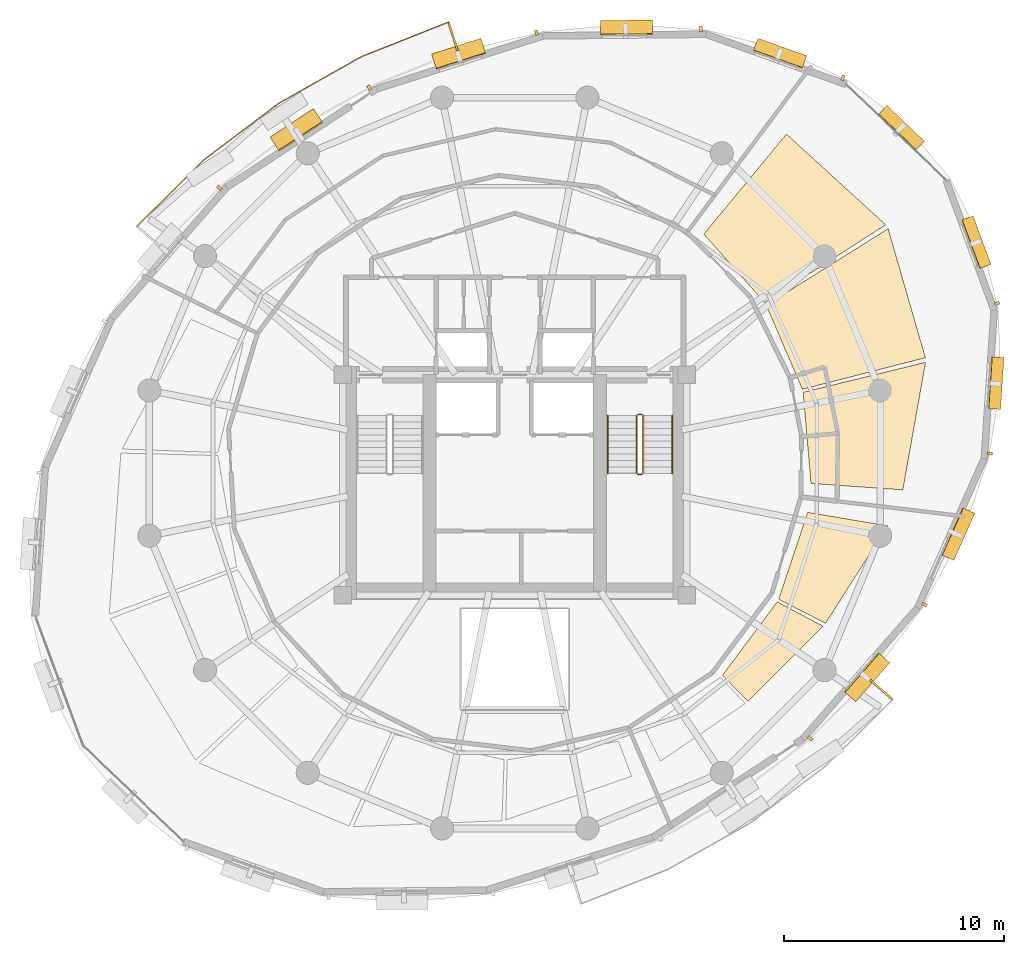
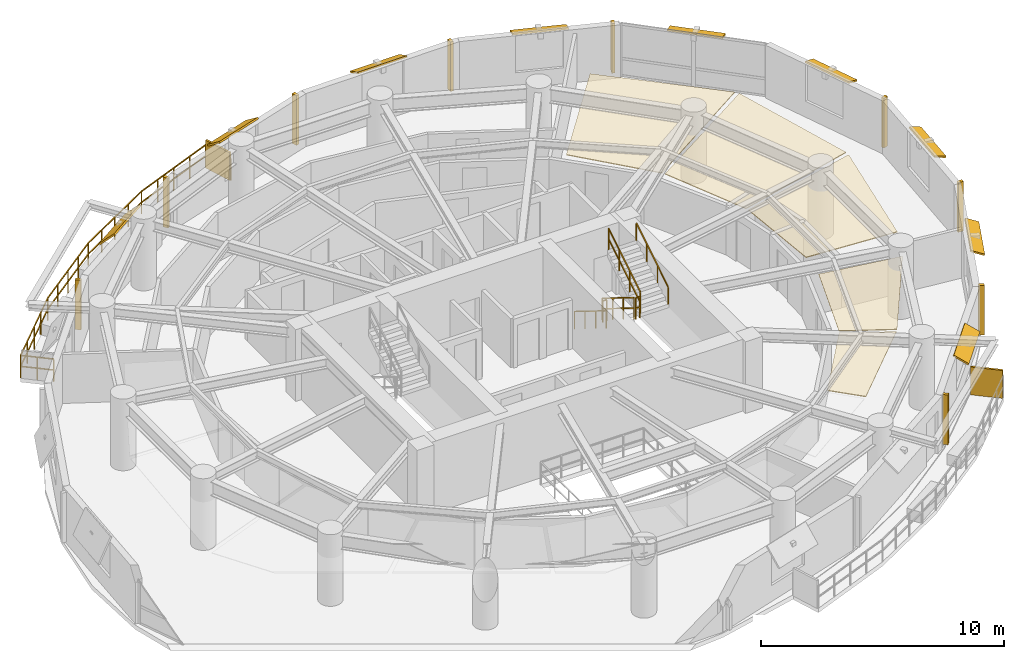
# One storey, part 12 of 12: 20 shading devices, 7 railings, 5 coverings.
"""IFC4 building model written with IfcOpenShell, lengths in metres."""

from ifc_helpers import new_model, si_unit, direction, frame, origin, origin_2d, place, context, subcontext, project, spatial, polyline, rectangle, outline, extrude, material, layer, layer_set, type_object, element, save


model = new_model("IFC4")

# Units and contexts
model_context = context("Model", 3, precision=1e-05, world=origin(), true_north=direction((0.0, 1.0)))
body_context = subcontext(model_context, "Body", "Model", "MODEL_VIEW")
ifc_project = project(units=[si_unit("LENGTHUNIT", "METRE"), si_unit("AREAUNIT", "SQUARE_METRE"), si_unit("VOLUMEUNIT", "CUBIC_METRE"), si_unit("PLANEANGLEUNIT", "RADIAN"), si_unit("MASSUNIT", "GRAM", prefix="KILO"), si_unit("THERMODYNAMICTEMPERATUREUNIT", "KELVIN"), si_unit("POWERUNIT", "WATT")], contexts=[model_context])

# Site, building, storey
site_placement = place(None, origin())
site = spatial("IfcSite", under=ifc_project, at=site_placement, CompositionType="ELEMENT")
building_placement = place(site_placement, origin())
building = spatial("IfcBuilding", under=site, at=building_placement, Name="Ocrelia Relay Tower", CompositionType="ELEMENT")
storey_placement = place(building_placement, frame((0.0, 0.0, 173.60009765625)))
storey = spatial("IfcBuildingStorey", under=building, at=storey_placement, Name="L41", CompositionType="ELEMENT", Elevation=173.60009765625)

# Coverings
ifc_material_1 = material(Name="Mineral-fiber acoustic ceiling tile", Category="gypsum")
ifc_layer_1 = layer(ifc_material_1, 0.0400390625, Name="Mineral-fiber acoustic ceiling tile")
ifc_layer_set_1 = layer_set([ifc_layer_1], Name="Mineral-fiber acoustic ceiling tile")
covering_type = type_object("IfcCoveringType", Name="COV-CEIL-ACOUSTIC", PredefinedType="CEILING", material=ifc_layer_set_1)
covering_1_placement = place(storey_placement, frame((0.0, 0.0, 2.3798828125)))
element("IfcCovering", 1, at=covering_1_placement, inside=storey, type_object=covering_type, Name="L41 Project Meeting Room Suspended Ceiling 1", PredefinedType="CEILING", context=body_context, shape_type="SweptSolid", body=[
    extrude(outline(polyline([(47.43798828125, 25.072021484375), (51.606201171875, 24.7841796875), (52.635986328125, 30.57177734375), (47.08203125, 29.209228515625), (47.43798828125, 25.072021484375)])), origin(), (0.0, 0.0, 1.0), 0.0400390625),
])
covering_2_placement = place(storey_placement, frame((0.0, 0.0, 2.3798828125)))
element("IfcCovering", 2, at=covering_2_placement, inside=storey, type_object=covering_type, Name="L41 Project Meeting Room Suspended Ceiling 2", PredefinedType="CEILING", context=body_context, shape_type="SweptSolid", body=[
    extrude(outline(polyline([(47.0478515625, 29.34619140625), (52.63037109375, 30.777587890625), (50.936767578125, 36.63134765625), (45.40869140625, 33.161376953125), (47.0478515625, 29.34619140625)])), origin(), (0.0, 0.0, 1.0), 0.0400390625),
])
covering_3_placement = place(storey_placement, frame((0.0, 0.0, 2.3798828125)))
element("IfcCovering", 3, at=covering_3_placement, inside=storey, type_object=covering_type, Name="L41 Project Meeting Room Suspended Ceiling 3", PredefinedType="CEILING", context=body_context, shape_type="SweptSolid", body=[
    extrude(outline(polyline([(45.3330078125, 33.2802734375), (50.826416015625, 36.809326171875), (46.322998046875, 40.92236328125), (42.576904296875, 36.38623046875), (45.3330078125, 33.2802734375)])), origin(), (0.0, 0.0, 1.0), 0.0400390625),
])
covering_4_placement = place(storey_placement, frame((0.0, 0.0, 2.3798828125)))
element("IfcCovering", 4, at=covering_4_placement, inside=storey, type_object=covering_type, Name="L41 Shift Staff Lounge Suspended Ceiling 2", PredefinedType="CEILING", context=body_context, shape_type="SweptSolid", body=[
    extrude(outline(polyline([(43.421630859375, 16.373291015625), (44.57861328125, 15.19140625), (47.990966796875, 18.597412109375), (45.90625, 19.700439453125), (43.421630859375, 16.373291015625)])), origin(), (0.0, 0.0, 1.0), 0.0400390625),
])
covering_5_placement = place(storey_placement, frame((0.0, 0.0, 2.3798828125)))
element("IfcCovering", 5, at=covering_5_placement, inside=storey, type_object=covering_type, Name="L41 Shift Staff Lounge Suspended Ceiling 3", PredefinedType="CEILING", context=body_context, shape_type="SweptSolid", body=[
    extrude(outline(polyline([(45.971435546875, 19.825439453125), (48.098388671875, 18.728515625), (50.918212890625, 23.15380859375), (47.283203125, 23.76513671875), (45.971435546875, 19.825439453125)])), origin(), (0.0, 0.0, 1.0), 0.0400390625),
])

# Railings
ifc_material_2 = material(Name="Steel S355 balustrade", Category="steel")
railing_type_1 = type_object("IfcRailingType", Name="RL-EXT-GUARD-1150", PredefinedType="GUARDRAIL", material=ifc_material_2)
railing_1_placement = place(storey_placement, frame((17.901611328125, 35.818115234375, 0.0)))
element("IfcRailing", 6, at=railing_1_placement, inside=storey, type_object=railing_type_1, Name="L41 Loggia Balcony Guard Rail B1", PredefinedType="GUARDRAIL", context=body_context, shape_type="SweptSolid", body=[
    extrude(rectangle(XDim=0.048095703125, YDim=0.048095703125, at=origin_2d()), frame((0.0, 0.0, 1.1259765625), z_axis=(-0.753563517181, 0.657375102642, 0.0), x_axis=(-0.657375102642, -0.753563517181, 0.0)), (0.0, 0.0, 1.0), 1.3935546875),
    extrude(rectangle(XDim=0.048095703125, YDim=0.048095703125, at=origin_2d()), frame((0.0, 0.0, 0.574951171875), z_axis=(-0.753563517181, 0.657375102642, 0.0), x_axis=(-0.657375102642, -0.753563517181, 0.0)), (0.0, 0.0, 1.0), 1.3935546875),
    extrude(rectangle(XDim=0.048095703125, YDim=0.048095703125, at=origin_2d()), frame((-1.050048828125, 0.916015625, 1.1259765625), z_axis=(0.708769408296, 0.705440235501, 0.0), x_axis=(-0.705440235501, 0.708769408296, 0.0)), (0.0, 0.0, 1.0), 2.126708984375),
    extrude(rectangle(XDim=0.048095703125, YDim=0.048095703125, at=origin_2d()), frame((-1.050048828125, 0.916015625, 0.574951171875), z_axis=(0.708769408296, 0.705440235501, 0.0), x_axis=(-0.705440235501, 0.708769408296, 0.0)), (0.0, 0.0, 1.0), 2.126708984375),
    extrude(rectangle(XDim=0.048095703125, YDim=0.048095703125, at=origin_2d()), frame((0.457275390625, 2.416259765625, 1.1259765625), z_axis=(0.708769408296, 0.705440235501, 0.0), x_axis=(-0.705440235501, 0.708769408296, 0.0)), (0.0, 0.0, 1.0), 2.126708984375),
    extrude(rectangle(XDim=0.048095703125, YDim=0.048095703125, at=origin_2d()), frame((0.457275390625, 2.416259765625, 0.574951171875), z_axis=(0.708769408296, 0.705440235501, 0.0), x_axis=(-0.705440235501, 0.708769408296, 0.0)), (0.0, 0.0, 1.0), 2.126708984375),
    extrude(rectangle(XDim=0.048095703125, YDim=0.048095703125, at=origin_2d()), frame((1.964599609375, 3.91650390625, 1.1259765625), z_axis=(0.797738620679, 0.603003393918, 0.0), x_axis=(-0.603003393918, 0.797738620679, 0.0)), (0.0, 0.0, 1.0), 4.299072265625),
    extrude(rectangle(XDim=0.048095703125, YDim=0.048095703125, at=origin_2d()), frame((1.964599609375, 3.91650390625, 0.574951171875), z_axis=(0.797738620679, 0.603003393918, 0.0), x_axis=(-0.603003393918, 0.797738620679, 0.0)), (0.0, 0.0, 1.0), 4.299072265625),
    extrude(rectangle(XDim=0.048095703125, YDim=0.048095703125, at=origin_2d()), frame((5.39404296875, 6.5087890625, 1.1259765625), z_axis=(0.871094345099, 0.491115711351, 0.0), x_axis=(-0.491115711351, 0.871094345099, 0.0)), (0.0, 0.0, 1.0), 4.299072265625),
    extrude(rectangle(XDim=0.048095703125, YDim=0.048095703125, at=origin_2d()), frame((5.39404296875, 6.5087890625, 0.574951171875), z_axis=(0.871094345099, 0.491115711351, 0.0), x_axis=(-0.491115711351, 0.871094345099, 0.0)), (0.0, 0.0, 1.0), 4.299072265625),
    extrude(rectangle(XDim=0.048095703125, YDim=0.048095703125, at=origin_2d()), frame((9.138916015625, 8.6201171875, 1.1259765625), z_axis=(0.929533810965, 0.368736890307, 0.0), x_axis=(-0.368736890307, 0.929533810965, 0.0)), (0.0, 0.0, 1.0), 2.126708984375),
    extrude(rectangle(XDim=0.048095703125, YDim=0.048095703125, at=origin_2d()), frame((9.138916015625, 8.6201171875, 0.574951171875), z_axis=(0.929533810965, 0.368736890307, 0.0), x_axis=(-0.368736890307, 0.929533810965, 0.0)), (0.0, 0.0, 1.0), 2.126708984375),
    extrude(rectangle(XDim=0.048095703125, YDim=0.048095703125, at=origin_2d()), frame((11.11572265625, 9.404296875, 1.1259765625), z_axis=(0.929533810965, 0.368736890307, 0.0), x_axis=(-0.368736890307, 0.929533810965, 0.0)), (0.0, 0.0, 1.0), 2.126708984375),
    extrude(rectangle(XDim=0.048095703125, YDim=0.048095703125, at=origin_2d()), frame((11.11572265625, 9.404296875, 0.574951171875), z_axis=(0.929533810965, 0.368736890307, 0.0), x_axis=(-0.368736890307, 0.929533810965, 0.0)), (0.0, 0.0, 1.0), 2.126708984375),
    extrude(rectangle(XDim=0.048095703125, YDim=0.048095703125, at=origin_2d()), frame((13.092529296875, 10.1884765625, 1.1259765625), z_axis=(0.302371980922, -0.953190004749, 0.0), x_axis=(0.953190004749, 0.302371980922, 0.0)), (0.0, 0.0, 1.0), 1.3935546875),
    extrude(rectangle(XDim=0.048095703125, YDim=0.048095703125, at=origin_2d()), frame((13.092529296875, 10.1884765625, 0.574951171875), z_axis=(0.302371980922, -0.953190004749, 0.0), x_axis=(0.953190004749, 0.302371980922, 0.0)), (0.0, 0.0, 1.0), 1.3935546875),
    extrude(rectangle(XDim=0.0419921875, YDim=0.0419921875, at=origin_2d()), origin(), (0.0, 0.0, 1.0), 1.101806640625),
    extrude(rectangle(XDim=0.0419921875, YDim=0.0419921875, at=origin_2d()), frame((-0.52490234375, 0.4580078125, 0.0)), (0.0, 0.0, 1.0), 1.101806640625),
    extrude(rectangle(XDim=0.0419921875, YDim=0.0419921875, at=origin_2d()), frame((-1.050048828125, 0.916015625, 0.0)), (0.0, 0.0, 1.0), 1.101806640625),
    extrude(rectangle(XDim=0.0419921875, YDim=0.0419921875, at=origin_2d()), frame((-0.29638671875, 1.666015625, 0.0)), (0.0, 0.0, 1.0), 1.101806640625),
    extrude(rectangle(XDim=0.0419921875, YDim=0.0419921875, at=origin_2d()), frame((0.457275390625, 2.416259765625, 0.0)), (0.0, 0.0, 1.0), 1.101806640625),
    extrude(rectangle(XDim=0.0419921875, YDim=0.0419921875, at=origin_2d()), frame((1.2109375, 3.16650390625, 0.0)), (0.0, 0.0, 1.0), 1.101806640625),
    extrude(rectangle(XDim=0.0419921875, YDim=0.0419921875, at=origin_2d()), frame((1.964599609375, 3.91650390625, 0.0)), (0.0, 0.0, 1.0), 1.101806640625),
    extrude(rectangle(XDim=0.0419921875, YDim=0.0419921875, at=origin_2d()), frame((2.822021484375, 4.564453125, 0.0)), (0.0, 0.0, 1.0), 1.101806640625),
    extrude(rectangle(XDim=0.0419921875, YDim=0.0419921875, at=origin_2d()), frame((3.67919921875, 5.212646484375, 0.0)), (0.0, 0.0, 1.0), 1.101806640625),
    extrude(rectangle(XDim=0.0419921875, YDim=0.0419921875, at=origin_2d()), frame((4.53662109375, 5.86083984375, 0.0)), (0.0, 0.0, 1.0), 1.101806640625),
    extrude(rectangle(XDim=0.0419921875, YDim=0.0419921875, at=origin_2d()), frame((5.39404296875, 6.5087890625, 0.0)), (0.0, 0.0, 1.0), 1.101806640625),
    extrude(rectangle(XDim=0.0419921875, YDim=0.0419921875, at=origin_2d()), frame((6.330322265625, 7.03662109375, 0.0)), (0.0, 0.0, 1.0), 1.101806640625),
    extrude(rectangle(XDim=0.0419921875, YDim=0.0419921875, at=origin_2d()), frame((7.2666015625, 7.564453125, 0.0)), (0.0, 0.0, 1.0), 1.101806640625),
    extrude(rectangle(XDim=0.0419921875, YDim=0.0419921875, at=origin_2d()), frame((8.20263671875, 8.09228515625, 0.0)), (0.0, 0.0, 1.0), 1.101806640625),
    extrude(rectangle(XDim=0.0419921875, YDim=0.0419921875, at=origin_2d()), frame((9.138916015625, 8.6201171875, 0.0)), (0.0, 0.0, 1.0), 1.101806640625),
    extrude(rectangle(XDim=0.0419921875, YDim=0.0419921875, at=origin_2d()), frame((10.12744140625, 9.01220703125, 0.0)), (0.0, 0.0, 1.0), 1.101806640625),
    extrude(rectangle(XDim=0.0419921875, YDim=0.0419921875, at=origin_2d()), frame((11.11572265625, 9.404296875, 0.0)), (0.0, 0.0, 1.0), 1.101806640625),
    extrude(rectangle(XDim=0.0419921875, YDim=0.0419921875, at=origin_2d()), frame((12.10400390625, 9.79638671875, 0.0)), (0.0, 0.0, 1.0), 1.101806640625),
    extrude(rectangle(XDim=0.0419921875, YDim=0.0419921875, at=origin_2d()), frame((13.092529296875, 10.1884765625, 0.0)), (0.0, 0.0, 1.0), 1.101806640625),
    extrude(rectangle(XDim=0.0419921875, YDim=0.0419921875, at=origin_2d()), frame((13.30322265625, 9.5244140625, 0.0)), (0.0, 0.0, 1.0), 1.101806640625),
    extrude(rectangle(XDim=0.0419921875, YDim=0.0419921875, at=origin_2d()), frame((13.513916015625, 8.860107421875, 0.0)), (0.0, 0.0, 1.0), 1.101806640625),
])
railing_type_2 = type_object("IfcRailingType", Name="RL-STAIR-GUARD", PredefinedType="GUARDRAIL", material=ifc_material_2)
railing_2_placement = place(storey_placement, frame((39.530029296875, 28.14990234375, 0.179931640625)))
element("IfcRailing", 7, at=railing_2_placement, inside=storey, type_object=railing_type_2, Name="L41 ST2 stair guard 1", PredefinedType="GUARDRAIL", context=body_context, shape_type="SweptSolid", body=[
    extrude(rectangle(XDim=0.048095703125, YDim=0.048095703125, at=origin_2d()), frame((0.0, 0.0, 1.076171875), z_axis=(0.0, -0.849646306263, 0.527352969322), x_axis=(1.0, 0.0, 0.0)), (0.0, 0.0, 1.0), 3.07177734375),
    extrude(rectangle(XDim=0.048095703125, YDim=0.048095703125, at=origin_2d()), frame((0.0, 0.0, 0.550048828125), z_axis=(0.0, -0.849646306263, 0.527352969322), x_axis=(1.0, 0.0, 0.0)), (0.0, 0.0, 1.0), 3.07177734375),
    extrude(rectangle(XDim=0.0419921875, YDim=0.0419921875, at=origin_2d()), origin(), (0.0, 0.0, 1.0), 1.052001953125),
    extrude(rectangle(XDim=0.0419921875, YDim=0.0419921875, at=origin_2d()), frame((0.0, -0.869873046875, 0.5400390625)), (0.0, 0.0, 1.0), 1.052001953125),
    extrude(rectangle(XDim=0.0419921875, YDim=0.0419921875, at=origin_2d()), frame((0.0, -1.739990234375, 1.079833984375)), (0.0, 0.0, 1.0), 1.052001953125),
    extrude(rectangle(XDim=0.0419921875, YDim=0.0419921875, at=origin_2d()), frame((0.0, -2.60986328125, 1.619873046875)), (0.0, 0.0, 1.0), 1.052001953125),
])
railing_3_placement = place(storey_placement, frame((39.580078125, 25.489990234375, 1.7998046875)))
element("IfcRailing", 8, at=railing_3_placement, inside=storey, type_object=railing_type_2, Name="L41 ST2 stair guard 2", PredefinedType="GUARDRAIL", context=body_context, shape_type="SweptSolid", body=[
    extrude(rectangle(XDim=0.048095703125, YDim=0.048095703125, at=origin_2d()), frame((0.0, 0.0, 1.076171875), z_axis=(1.0, 0.0, 0.0), x_axis=(0.0, 1.0, 0.0)), (0.0, 0.0, 1.0), 0.199951171875),
    extrude(rectangle(XDim=0.048095703125, YDim=0.048095703125, at=origin_2d()), frame((0.0, 0.0, 0.550048828125), z_axis=(1.0, 0.0, 0.0), x_axis=(0.0, 1.0, 0.0)), (0.0, 0.0, 1.0), 0.199951171875),
    extrude(rectangle(XDim=0.0419921875, YDim=0.0419921875, at=origin_2d()), origin(), (0.0, 0.0, 1.0), 1.052001953125),
    extrude(rectangle(XDim=0.0419921875, YDim=0.0419921875, at=origin_2d()), frame((0.199951171875, 0.0, 0.0)), (0.0, 0.0, 1.0), 1.052001953125),
])
railing_4_placement = place(storey_placement, frame((39.830078125, 25.5400390625, 1.97998046875)))
element("IfcRailing", 9, at=railing_4_placement, inside=storey, type_object=railing_type_2, Name="L41 ST2 stair guard 3", PredefinedType="GUARDRAIL", context=body_context, shape_type="SweptSolid", body=[
    extrude(rectangle(XDim=0.048095703125, YDim=0.048095703125, at=origin_2d()), frame((0.0, 0.0, 1.076171875), z_axis=(0.0, 0.849646306263, 0.527352969322), x_axis=(-1.0, 0.0, 0.0)), (0.0, 0.0, 1.0), 3.07177734375),
    extrude(rectangle(XDim=0.048095703125, YDim=0.048095703125, at=origin_2d()), frame((0.0, 0.0, 0.550048828125), z_axis=(0.0, 0.849646306263, 0.527352969322), x_axis=(-1.0, 0.0, 0.0)), (0.0, 0.0, 1.0), 3.07177734375),
    extrude(rectangle(XDim=0.0419921875, YDim=0.0419921875, at=origin_2d()), origin(), (0.0, 0.0, 1.0), 1.052001953125),
    extrude(rectangle(XDim=0.0419921875, YDim=0.0419921875, at=origin_2d()), frame((0.0, 0.869873046875, 0.5400390625)), (0.0, 0.0, 1.0), 1.052001953125),
    extrude(rectangle(XDim=0.0419921875, YDim=0.0419921875, at=origin_2d()), frame((0.0, 1.739990234375, 1.079833984375)), (0.0, 0.0, 1.0), 1.052001953125),
    extrude(rectangle(XDim=0.0419921875, YDim=0.0419921875, at=origin_2d()), frame((0.0, 2.60986328125, 1.619873046875)), (0.0, 0.0, 1.0), 1.052001953125),
])
railing_5_placement = place(storey_placement, frame((39.580078125, 28.199951171875, 0.0)))
element("IfcRailing", 10, at=railing_5_placement, inside=storey, type_object=railing_type_2, Name="L41 ST2 stair guard 4", PredefinedType="GUARDRAIL", context=body_context, shape_type="SweptSolid", body=[
    extrude(rectangle(XDim=0.048095703125, YDim=0.048095703125, at=origin_2d()), frame((0.0, 0.0, 1.076171875), z_axis=(1.0, 0.0, 0.0), x_axis=(0.0, 1.0, 0.0)), (0.0, 0.0, 1.0), 0.199951171875),
    extrude(rectangle(XDim=0.048095703125, YDim=0.048095703125, at=origin_2d()), frame((0.0, 0.0, 0.550048828125), z_axis=(1.0, 0.0, 0.0), x_axis=(0.0, 1.0, 0.0)), (0.0, 0.0, 1.0), 0.199951171875),
    extrude(rectangle(XDim=0.0419921875, YDim=0.0419921875, at=origin_2d()), origin(), (0.0, 0.0, 1.0), 1.052001953125),
    extrude(rectangle(XDim=0.0419921875, YDim=0.0419921875, at=origin_2d()), frame((0.199951171875, 0.0, 0.0)), (0.0, 0.0, 1.0), 1.052001953125),
])
ifc_material_3 = material(Name="Steel S355 tubular handrail", Category="steel")
railing_type_3 = type_object("IfcRailingType", Name="RL-STAIR-HAND", PredefinedType="HANDRAIL", material=ifc_material_3)
railing_6_placement = place(storey_placement, frame((38.2099609375, 28.14990234375, 0.179931640625)))
element("IfcRailing", 11, at=railing_6_placement, inside=storey, type_object=railing_type_3, Name="L41 ST2 stair handrail 1", PredefinedType="HANDRAIL", context=body_context, shape_type="SweptSolid", body=[
    extrude(rectangle(XDim=0.048095703125, YDim=0.048095703125, at=origin_2d()), frame((0.0, 0.0, 0.8759765625), z_axis=(0.0, -0.849646306263, 0.527352969322), x_axis=(1.0, 0.0, 0.0)), (0.0, 0.0, 1.0), 3.07177734375),
    extrude(rectangle(XDim=0.0419921875, YDim=0.0419921875, at=origin_2d()), origin(), (0.0, 0.0, 1.0), 0.851806640625),
    extrude(rectangle(XDim=0.0419921875, YDim=0.0419921875, at=origin_2d()), frame((0.0, -0.869873046875, 0.5400390625)), (0.0, 0.0, 1.0), 0.851806640625),
    extrude(rectangle(XDim=0.0419921875, YDim=0.0419921875, at=origin_2d()), frame((0.0, -1.739990234375, 1.079833984375)), (0.0, 0.0, 1.0), 0.851806640625),
    extrude(rectangle(XDim=0.0419921875, YDim=0.0419921875, at=origin_2d()), frame((0.0, -2.60986328125, 1.619873046875)), (0.0, 0.0, 1.0), 0.851806640625),
])
railing_7_placement = place(storey_placement, frame((41.14990234375, 25.5400390625, 1.97998046875)))
element("IfcRailing", 12, at=railing_7_placement, inside=storey, type_object=railing_type_3, Name="L41 ST2 stair handrail 2", PredefinedType="HANDRAIL", context=body_context, shape_type="SweptSolid", body=[
    extrude(rectangle(XDim=0.048095703125, YDim=0.048095703125, at=origin_2d()), frame((0.0, 0.0, 0.8759765625), z_axis=(0.0, 0.849646306263, 0.527352969322), x_axis=(-1.0, 0.0, 0.0)), (0.0, 0.0, 1.0), 3.07177734375),
    extrude(rectangle(XDim=0.0419921875, YDim=0.0419921875, at=origin_2d()), origin(), (0.0, 0.0, 1.0), 0.851806640625),
    extrude(rectangle(XDim=0.0419921875, YDim=0.0419921875, at=origin_2d()), frame((0.0, 0.869873046875, 0.5400390625)), (0.0, 0.0, 1.0), 0.851806640625),
    extrude(rectangle(XDim=0.0419921875, YDim=0.0419921875, at=origin_2d()), frame((0.0, 1.739990234375, 1.079833984375)), (0.0, 0.0, 1.0), 0.851806640625),
    extrude(rectangle(XDim=0.0419921875, YDim=0.0419921875, at=origin_2d()), frame((0.0, 2.60986328125, 1.619873046875)), (0.0, 0.0, 1.0), 0.851806640625),
])

# Shading devices
ifc_material_4 = material(Name="Perforated oxide terracotta solar screen", Category="masonry")
ifc_layer_2 = layer(ifc_material_4, 0.090087890625, Name="Perforated oxide terracotta solar screen")
ifc_layer_set_2 = layer_set([ifc_layer_2], Name="Perforated oxide terracotta solar screen")
shading_device_type_1 = type_object("IfcShadingDeviceType", Name="SH-BALC-SCREEN", PredefinedType="USERDEFINED", material=ifc_layer_set_2)
for number, where, z_axis, x_axis, name in (
    (13, (31.204833984375, 45.34228515625, 0.0), (0.0, 0.0, 1.0), (-0.302415625148, 0.95317615878, 0.0), "L41 Balcony Perforated Terracotta Screen B1-1"),
    (14, (50.62353515625, 15.723876953125, 0.0), (0.0, 0.0, 1.0), (0.753487358119, -0.65746239524, 0.0), "L41 Balcony Perforated Terracotta Screen B2-2"),
):
    element("IfcShadingDevice", number, at=place(storey_placement, frame(where, z_axis=z_axis, x_axis=x_axis)), inside=storey, type_object=shading_device_type_1, Name=name, ObjectType="SCREEN", PredefinedType="USERDEFINED", context=body_context, shape_type="SweptSolid", body=[
        extrude(rectangle(XDim=1.340087890625, YDim=0.090087890625, at=origin_2d()), origin(), (0.0, 0.0, 1.0), 1.39990234375),
    ])
ifc_material_5 = material(Name="Extruded oxide terracotta vertical baguette", Category="masonry")
shading_device_type_2 = type_object("IfcShadingDeviceType", Name="SH-TERR-BAGUETTE", PredefinedType="USERDEFINED", material=ifc_material_5)
for number, where, z_axis, x_axis, name in (
    (15, (48.8837890625, 43.4736328125, 0.079833984375), (0.0, 0.0, 1.0), (-0.941434270354, 0.337196551885, 0.0), "L41 Oxide Terracotta Vertical Baguette 02"),
    (16, (42.43994140625, 45.67822265625, 0.079833984375), (0.0, 0.0, 1.0), (-0.999953158498, -0.009678884741, 0.0), "L41 Oxide Terracotta Vertical Baguette 03"),
    (17, (34.986572265625, 45.525146484375, 0.079833984375), (0.0, 0.0, 1.0), (-0.952705845241, -0.303894015149, 0.0), "L41 Oxide Terracotta Vertical Baguette 04"),
    (18, (27.406005859375, 43.03076171875, 0.079833984375), (0.0, 0.0, 1.0), (-0.83628895053, -0.548288966898, 0.0), "L41 Oxide Terracotta Vertical Baguette 05"),
    (19, (20.60546875, 38.485107421875, 0.079833984375), (0.0, 0.0, 1.0), (-0.658579624883, -0.752511048217, 0.0), "L41 Oxide Terracotta Vertical Baguette 06"),
    (20, (47.39453125, 13.514892578125, 0.079833984375), (0.0, 0.0, 1.0), (0.658579624883, 0.752511048217, 0.0), "L41 Oxide Terracotta Vertical Baguette 15"),
    (21, (52.592041015625, 19.576416015625, 0.079833984375), (0.0, 0.0, 1.0), (0.407604143725, 0.913158727724, 0.0), "L41 Oxide Terracotta Vertical Baguette 16"),
    (22, (55.544921875, 26.430419921875, 0.079833984375), (0.0, 0.0, 1.0), (0.066167712771, 0.997808515591, 0.0), "L41 Oxide Terracotta Vertical Baguette 17"),
    (23, (55.87841796875, 33.2412109375, 0.079833984375), (0.0, 0.0, 1.0), (-0.346439160344, 0.938072442928, 0.0), "L41 Oxide Terracotta Vertical Baguette 18"),
):
    element("IfcShadingDevice", number, at=place(storey_placement, frame(where, z_axis=z_axis, x_axis=x_axis)), inside=storey, type_object=shading_device_type_2, Name=name, ObjectType="BAGUETTE", PredefinedType="USERDEFINED", context=body_context, shape_type="SweptSolid", body=[
        extrude(rectangle(XDim=0.139892578125, YDim=0.239990234375, at=origin_2d()), origin(), (0.0, 0.0, 1.0), 2.5),
    ])
ifc_material_6 = material(Name="Extruded oxide terracotta fin", Category="masonry")
ifc_layer_3 = layer(ifc_material_6, 0.080078125, Name="Extruded oxide terracotta fin")
ifc_layer_set_3 = layer_set([ifc_layer_3], Name="Extruded oxide terracotta fin")
shading_device_type_3 = type_object("IfcShadingDeviceType", Name="SH-VISOR-FIN-MED", PredefinedType="USERDEFINED", material=ifc_layer_set_3)
shading_device_1_placement = place(storey_placement, frame((31.462646484375, 44.5419921875, 2.467041015625), z_axis=(-0.173871706732, 0.545086717962, 0.820151875874), x_axis=(-0.952705845241, -0.303894015149, 0.0)))
element("IfcShadingDevice", 24, at=shading_device_1_placement, inside=storey, type_object=shading_device_type_3, Name="L41 Canted Terracotta Sun-Visor Fin 04", ObjectType="FIN", PredefinedType="USERDEFINED", context=body_context, shape_type="SweptSolid", body=[
    extrude(rectangle(XDim=2.35009765625, YDim=0.83203125, at=origin_2d()), origin(), (0.0, 0.0, 1.0), 0.080078125),
])
shading_device_2_placement = place(storey_placement, frame((24.10791015625, 41.087890625, 2.471923828125), z_axis=(-0.390664698679, 0.595869314526, 0.701655793971), x_axis=(-0.83628895053, -0.548288966898, 0.0)))
element("IfcShadingDevice", 25, at=shading_device_2_placement, inside=storey, type_object=shading_device_type_3, Name="L41 Canted Terracotta Sun-Visor Fin 05", ObjectType="FIN", PredefinedType="USERDEFINED", context=body_context, shape_type="SweptSolid", body=[
    extrude(rectangle(XDim=2.35009765625, YDim=1.007080078125, at=origin_2d()), origin(), (0.0, 0.0, 1.0), 0.080078125),
])
ifc_layer_4 = layer(ifc_material_6, 0.080078125, Name="Extruded oxide terracotta fin")
ifc_layer_set_4 = layer_set([ifc_layer_4], Name="Extruded oxide terracotta fin")
shading_device_type_4 = type_object("IfcShadingDeviceType", Name="SH-VISOR-FIN-SHAL", PredefinedType="USERDEFINED", material=ifc_layer_set_4)
shading_device_3_placement = place(storey_placement, frame((51.531982421875, 41.202392578125, 2.462158203125), z_axis=(0.224301264066, 0.234148410059, 0.945972232682), x_axis=(-0.722128329985, 0.691759116335, 0.0)))
element("IfcShadingDevice", 26, at=shading_device_3_placement, inside=storey, type_object=shading_device_type_4, Name="L41 Canted Terracotta Sun-Visor Fin 01", ObjectType="FIN", PredefinedType="USERDEFINED", context=body_context, shape_type="SweptSolid", body=[
    extrude(rectangle(XDim=2.35009765625, YDim=0.56494140625, at=origin_2d()), origin(), (0.0, 0.0, 1.0), 0.080078125),
])
shading_device_4_placement = place(storey_placement, frame((46.0322265625, 44.577392578125, 2.462890625), z_axis=(0.124458576387, 0.347481516034, 0.929390477022), x_axis=(-0.941434270354, 0.337196551885, 0.0)))
element("IfcShadingDevice", 27, at=shading_device_4_placement, inside=storey, type_object=shading_device_type_4, Name="L41 Canted Terracotta Sun-Visor Fin 02", ObjectType="FIN", PredefinedType="USERDEFINED", context=body_context, shape_type="SweptSolid", body=[
    extrude(rectangle(XDim=2.35009765625, YDim=0.611083984375, at=origin_2d()), origin(), (0.0, 0.0, 1.0), 0.080078125),
])
shading_device_5_placement = place(storey_placement, frame((39.072021484375, 45.740478515625, 2.46435546875), z_axis=(-0.004359467658, 0.450389024177, 0.892821775016), x_axis=(-0.999953158498, -0.009678884741, 0.0)))
element("IfcShadingDevice", 28, at=shading_device_5_placement, inside=storey, type_object=shading_device_type_4, Name="L41 Canted Terracotta Sun-Visor Fin 03", ObjectType="FIN", PredefinedType="USERDEFINED", context=body_context, shape_type="SweptSolid", body=[
    extrude(rectangle(XDim=2.35009765625, YDim=0.696044921875, at=origin_2d()), origin(), (0.0, 0.0, 1.0), 0.080078125),
])
shading_device_6_placement = place(storey_placement, frame((49.97021484375, 16.2919921875, 2.46484375), z_axis=(0.361258279353, -0.316164583451, 0.877229965157), x_axis=(0.658579624883, 0.752511048217, 0.0)))
element("IfcShadingDevice", 29, at=shading_device_6_placement, inside=storey, type_object=shading_device_type_4, Name="L41 Canted Terracotta Sun-Visor Fin 15", ObjectType="FIN", PredefinedType="USERDEFINED", context=body_context, shape_type="SweptSolid", body=[
    extrude(rectangle(XDim=2.35009765625, YDim=0.72802734375, at=origin_2d()), origin(), (0.0, 0.0, 1.0), 0.080078125),
])
shading_device_7_placement = place(storey_placement, frame((54.107177734375, 22.781982421875, 2.462890625), z_axis=(0.343995422368, -0.153548288291, 0.926331513311), x_axis=(0.407604143725, 0.913158727724, 0.0)))
element("IfcShadingDevice", 30, at=shading_device_7_placement, inside=storey, type_object=shading_device_type_4, Name="L41 Canted Terracotta Sun-Visor Fin 16", ObjectType="FIN", PredefinedType="USERDEFINED", context=body_context, shape_type="SweptSolid", body=[
    extrude(rectangle(XDim=2.35009765625, YDim=0.618896484375, at=origin_2d()), origin(), (0.0, 0.0, 1.0), 0.080078125),
])
shading_device_8_placement = place(storey_placement, frame((55.823486328125, 29.624267578125, 2.462158203125), z_axis=(0.322878016181, -0.021411021755, 0.946198369695), x_axis=(0.066167712771, 0.997808515591, 0.0)))
element("IfcShadingDevice", 31, at=shading_device_8_placement, inside=storey, type_object=shading_device_type_4, Name="L41 Canted Terracotta Sun-Visor Fin 17", ObjectType="FIN", PredefinedType="USERDEFINED", context=body_context, shape_type="SweptSolid", body=[
    extrude(rectangle(XDim=2.35009765625, YDim=0.56494140625, at=origin_2d()), origin(), (0.0, 0.0, 1.0), 0.080078125),
])
shading_device_9_placement = place(storey_placement, frame((54.928955078125, 36.014404296875, 2.4619140625), z_axis=(0.289880326819, 0.107055588063, 0.951056516295), x_axis=(-0.346439160344, 0.938072442928, 0.0)))
element("IfcShadingDevice", 32, at=shading_device_9_placement, inside=storey, type_object=shading_device_type_4, Name="L41 Canted Terracotta Sun-Visor Fin 18", ObjectType="FIN", PredefinedType="USERDEFINED", context=body_context, shape_type="SweptSolid", body=[
    extrude(rectangle(XDim=2.35009765625, YDim=0.550048828125, at=origin_2d()), origin(), (0.0, 0.0, 1.0), 0.080078125),
])

save(model, "model.ifc")
